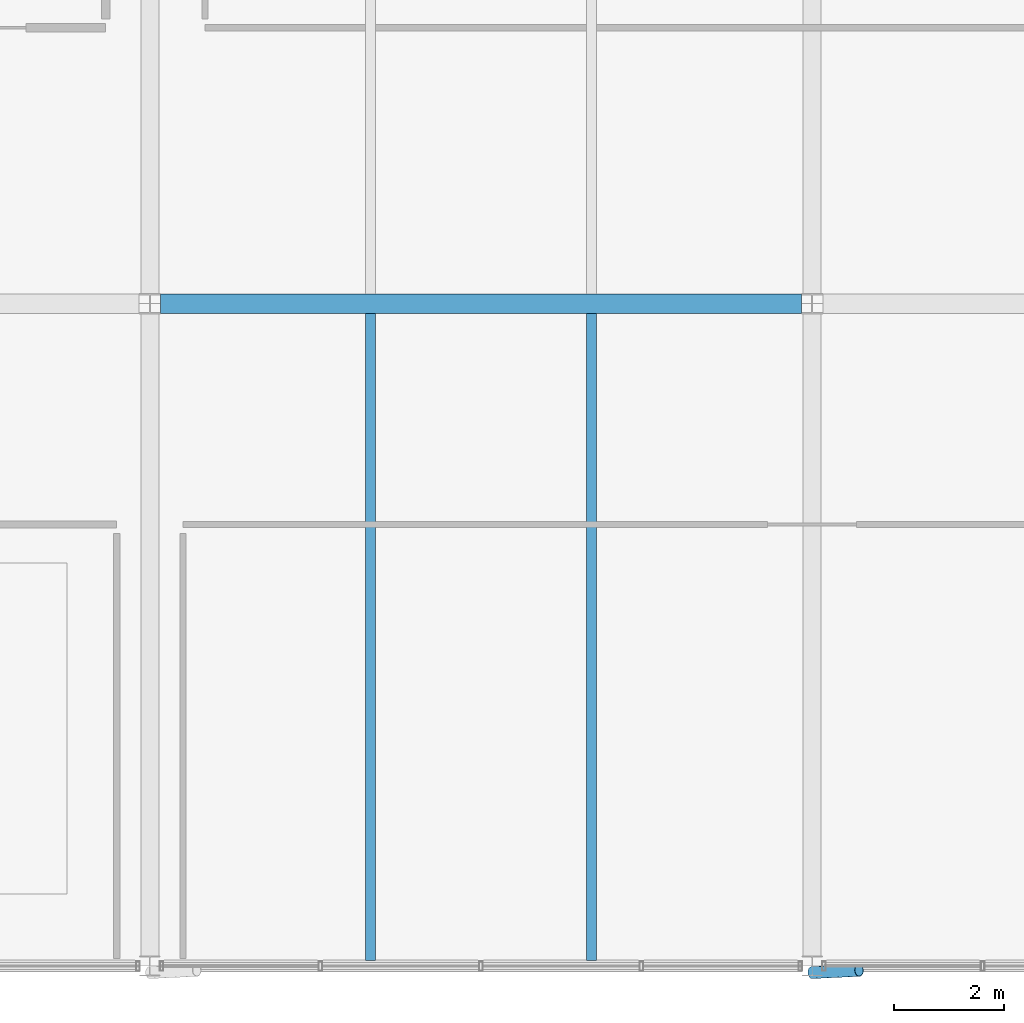
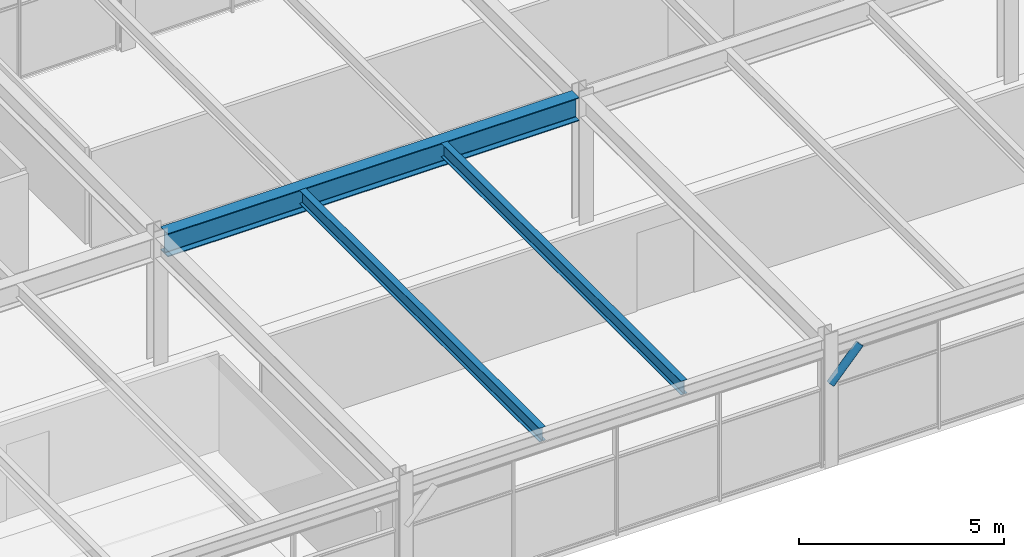
# One storey, part 15 of 40: 3 beams, 1 member.
"""IFC4 building model written with IfcOpenShell, lengths in metres."""

from ifc_helpers import new_model, si_unit, direction, frame, origin, origin_2d, place, context, subcontext, project, spatial, hollow_circle, i_section, extrude, material, material_profile, profile_set, type_object, element, save


model = new_model("IFC4")

# Units and contexts
model_context = context("Model", 3, precision=1e-05, world=origin(), true_north=direction((0.0, 1.0)))
body_context = subcontext(model_context, "Body", "Model", "MODEL_VIEW")
ifc_project = project(units=[si_unit("LENGTHUNIT", "METRE"), si_unit("AREAUNIT", "SQUARE_METRE"), si_unit("VOLUMEUNIT", "CUBIC_METRE"), si_unit("PLANEANGLEUNIT", "RADIAN"), si_unit("MASSUNIT", "GRAM", prefix="KILO")], contexts=[model_context])

# Site, building, storey
site_placement = place(None, origin())
site = spatial("IfcSite", under=ifc_project, at=site_placement, CompositionType="ELEMENT")
building_placement = place(site_placement, origin())
building = spatial("IfcBuilding", under=site, at=building_placement, Name="Girod Span Mobility Hub", CompositionType="ELEMENT")
storey_placement = place(building_placement, frame((0.0, 0.0, 53.60009765625)))
storey = spatial("IfcBuildingStorey", under=building, at=storey_placement, Name="L13", CompositionType="ELEMENT", Elevation=53.60009765625)

# Beams
ifc_material_1 = material(Name="Steel A992 Grade 50", Category="steel")
ifc_material_profile_1 = material_profile(ifc_material_1, i_section(OverallWidth=0.178955078125, OverallDepth=0.409912109375, WebThickness=0.0087890625, FlangeThickness=0.014404296875, FilletRadius=0.012939453125, at=origin_2d()), Name="W16X45")
ifc_profile_set_1 = profile_set([ifc_material_profile_1], Name="Steel A992 Grade 50")
beam_type_1 = type_object("IfcBeamType", Name="BM-STL-W16X45", PredefinedType="BEAM", material=ifc_profile_set_1)
for number, where, z_axis, x_axis, name in (
    (1, (76.0, 45.10302734375, 3.60986328125), (0.0, 1.0, 0.0), (-1.0, 0.0, 0.0), "Composite Floorbeam 7/D-1 L13"),
    (2, (80.0, 45.10302734375, 3.60986328125), (0.0, 1.0, 0.0), (-1.0, 0.0, 0.0), "Composite Floorbeam 7/D-2 L13"),
):
    element("IfcBeam", number, at=place(storey_placement, frame(where, z_axis=z_axis, x_axis=x_axis)), inside=storey, type_object=beam_type_1, Name=name, PredefinedType="BEAM", context=body_context, shape_type="SweptSolid", body=[
        extrude(i_section(OverallWidth=0.178955078125, OverallDepth=0.409912109375, WebThickness=0.0087890625, FlangeThickness=0.014404296875, FilletRadius=0.012939453125, at=origin_2d()), origin(), (0.0, 0.0, 1.0), 11.722412109375),
    ])
ifc_material_2 = material(Name="Steel A992 Grade 50", Category="steel")
ifc_material_profile_2 = material_profile(ifc_material_2, i_section(OverallWidth=0.35498046875, OverallDepth=0.695068359375, WebThickness=0.015380859375, FlangeThickness=0.02490234375, FilletRadius=0.01806640625, at=origin_2d()), Name="W27X146")
ifc_profile_set_2 = profile_set([ifc_material_profile_2], Name="Steel A992 Grade 50")
beam_type_2 = type_object("IfcBeamType", Name="BM-STL-W27X146", PredefinedType="BEAM", material=ifc_profile_set_2)
beam_placement = place(storey_placement, frame((72.194091796875, 57.0, 3.46728515625), z_axis=(1.0, 0.0, 0.0), x_axis=(0.0, 1.0, 0.0)))
element("IfcBeam", 3, at=beam_placement, inside=storey, type_object=beam_type_2, Name="Girder 7-8/E L13", PredefinedType="BEAM", context=body_context, shape_type="SweptSolid", body=[
    extrude(i_section(OverallWidth=0.35498046875, OverallDepth=0.695068359375, WebThickness=0.015380859375, FlangeThickness=0.02490234375, FilletRadius=0.01806640625, at=origin_2d()), origin(), (0.0, 0.0, 1.0), 11.61181640625),
])

# Member
ifc_material_3 = material(Name="Steel HSS A500 Grade C", Category="steel")
ifc_material_profile_3 = material_profile(ifc_material_3, hollow_circle(Radius=0.109619140625, WallThickness=0.0087890625, at=origin_2d()), Name="HSS219X9.5")
ifc_profile_set_3 = profile_set([ifc_material_profile_3], Name="Steel HSS A500 Grade C")
member_type = type_object("IfcMemberType", Name="MB-ST-HSS219", PredefinedType="STRUT", material=ifc_profile_set_3)
member_placement = place(storey_placement, frame((84.0, 44.8798828125, 2.449951171875), z_axis=(0.692370429022, 0.032610209753, 0.720804941184), x_axis=(-0.047047213483, 0.998892666758, 0.0)))
element("IfcMember", 4, at=member_placement, inside=storey, type_object=member_type, Name="Solar Shading Knee Strut 8 L13", PredefinedType="STRUT", context=body_context, shape_type="SweptSolid", body=[
    extrude(hollow_circle(Radius=0.109619140625, WallThickness=0.0087890625, at=origin_2d()), origin(), (0.0, 0.0, 1.0), 1.227783203125),
])

save(model, "model.ifc")
